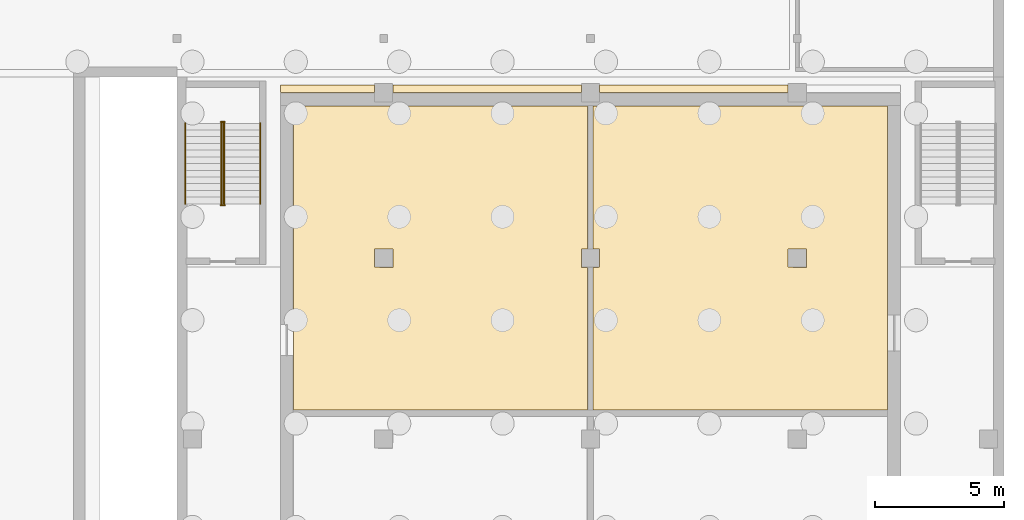
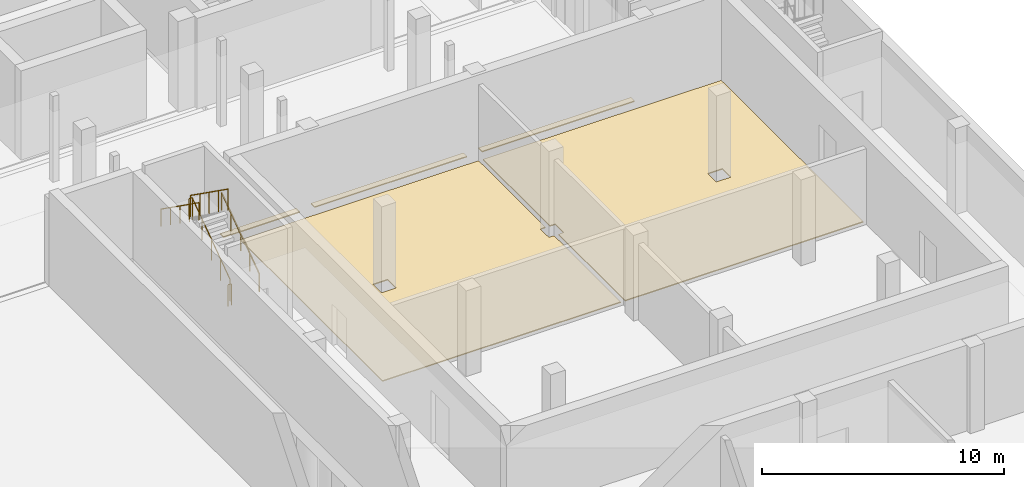
# One storey, part 17 of 21: 6 railings, 5 coverings.
"""IFC4 building model written with IfcOpenShell, lengths in metres."""

from ifc_helpers import new_model, si_unit, direction, frame, origin, origin_2d, place, context, subcontext, project, spatial, polyline, circle, outline, extrude, material, layer, layer_set, type_object, element, save


model = new_model("IFC4")

# Units and contexts
model_context = context("Model", 3, precision=1e-05, world=origin(), true_north=direction((0.0, 1.0)))
body_context = subcontext(model_context, "Body", "Model", "MODEL_VIEW")
ifc_project = project(units=[si_unit("LENGTHUNIT", "METRE"), si_unit("AREAUNIT", "SQUARE_METRE"), si_unit("VOLUMEUNIT", "CUBIC_METRE"), si_unit("PLANEANGLEUNIT", "RADIAN"), si_unit("MASSUNIT", "GRAM", prefix="KILO")], contexts=[model_context])

# Site, building, storey
site_placement = place(None, origin())
site = spatial("IfcSite", under=ifc_project, at=site_placement, CompositionType="ELEMENT")
building_placement = place(site_placement, origin())
building = spatial("IfcBuilding", under=site, at=building_placement, Name="Lantern Court Media Centre", CompositionType="ELEMENT")
storey_placement = place(building_placement, frame((0.0, 0.0, -4.800048828125)))
storey = spatial("IfcBuildingStorey", under=building, at=storey_placement, Name="B1", CompositionType="ELEMENT", Elevation=-4.800048828125)

# Coverings
ifc_material_1 = material(Name="Carpet")
ifc_layer = layer(ifc_material_1, 0.050048828125)
ifc_layer_set = layer_set([ifc_layer], Name="Carpet")
covering_type = type_object("IfcCoveringType", Name="Carpet floor finish", PredefinedType="FLOORING", material=ifc_layer_set)
covering_1_placement = place(storey_placement, origin())
element("IfcCovering", 1, at=covering_1_placement, inside=storey, type_object=covering_type, Name="Studio Equipment Store floor finish", PredefinedType="FLOORING", context=body_context, shape_type="SweptSolid", body=[
    extrude(outline(polyline([(87.89501953125, 27.125), (76.5048828125, 27.125), (76.5048828125, 38.89501953125), (87.89501953125, 38.89501953125), (87.89501953125, 33.35498046875), (87.64501953125, 33.35009765625), (87.645263671875, 32.6484375), (87.89501953125, 32.64501953125), (87.89501953125, 27.125)]), holes=[polyline([(79.64501953125, 32.64990234375), (80.353515625, 32.646484375), (80.353515625, 33.353515625), (79.646484375, 33.353515625), (79.64501953125, 32.64990234375)])]), origin(), (0.0, 0.0, 1.0), 0.050048828125),
])
covering_2_placement = place(storey_placement, origin())
element("IfcCovering", 2, at=covering_2_placement, inside=storey, type_object=covering_type, Name="Studio Equipment Store floor finish", PredefinedType="FLOORING", context=body_context, shape_type="SweptSolid", body=[
    extrude(outline(polyline([(87.64501953125, 39.699951171875), (87.64501953125, 39.405029296875), (80.35498046875, 39.405029296875), (80.35498046875, 39.699951171875), (87.64501953125, 39.699951171875)])), origin(), (0.0, 0.0, 1.0), 0.050048828125),
])
covering_3_placement = place(storey_placement, origin())
element("IfcCovering", 3, at=covering_3_placement, inside=storey, type_object=covering_type, Name="Studio Equipment Store floor finish", PredefinedType="FLOORING", context=body_context, shape_type="SweptSolid", body=[
    extrude(outline(polyline([(76.0, 39.699951171875), (79.64501953125, 39.699951171875), (79.64501953125, 39.405029296875), (76.0, 39.405029296875), (76.0, 39.699951171875)])), origin(), (0.0, 0.0, 1.0), 0.050048828125),
])
covering_4_placement = place(storey_placement, origin())
element("IfcCovering", 4, at=covering_4_placement, inside=storey, type_object=covering_type, Name="Scenery Store floor finish", PredefinedType="FLOORING", context=body_context, shape_type="SweptSolid", body=[
    extrude(outline(polyline([(88.10498046875, 27.125), (88.10498046875, 32.64501953125), (88.35498046875, 32.64990234375), (88.354736328125, 33.3515625), (88.10498046875, 33.35498046875), (88.10498046875, 38.89501953125), (99.4951171875, 38.89501953125), (99.4951171875, 27.125), (88.10498046875, 27.125)]), holes=[polyline([(95.64501953125, 32.64990234375), (96.353515625, 32.646484375), (96.353515625, 33.353515625), (95.646484375, 33.353515625), (95.64501953125, 32.64990234375)])]), origin(), (0.0, 0.0, 1.0), 0.050048828125),
])
covering_5_placement = place(storey_placement, origin())
element("IfcCovering", 5, at=covering_5_placement, inside=storey, type_object=covering_type, Name="Scenery Store floor finish", PredefinedType="FLOORING", context=body_context, shape_type="SweptSolid", body=[
    extrude(outline(polyline([(95.64501953125, 39.699951171875), (95.64501953125, 39.405029296875), (88.35498046875, 39.405029296875), (88.35498046875, 39.699951171875), (95.64501953125, 39.699951171875)])), origin(), (0.0, 0.0, 1.0), 0.050048828125),
])

# Railings
ifc_material_2 = material(Name="Powder-coated steel", Category="steel")
railing_type_1 = type_object("IfcRailingType", Name="Stair guard 1100", PredefinedType="GUARDRAIL", material=ifc_material_2)
railing_1_placement = place(storey_placement, frame((73.825927734375, 35.10009765625, 0.1845703125)))
element("IfcRailing", 6, at=railing_1_placement, inside=storey, type_object=railing_type_1, Name="B1 ST-V2-ST-W stair guard 1", PredefinedType="GUARDRAIL", context=body_context, shape_type="SweptSolid", body=[
    extrude(circle(Radius=0.02392578125, at=origin_2d()), frame((0.0, 0.0, 1.076171875), z_axis=(0.0, 0.815325456587, 0.579002935952), x_axis=(-1.0, 0.0, 0.0)), (0.0, 0.0, 1.0), 3.826416015625),
    extrude(circle(Radius=0.02099609375, at=origin_2d()), origin(), (0.0, 0.0, 1.0), 1.052001953125),
    extrude(circle(Radius=0.02099609375, at=origin_2d()), frame((0.0, 0.780029296875, 0.553955078125)), (0.0, 0.0, 1.0), 1.052001953125),
    extrude(circle(Radius=0.02099609375, at=origin_2d()), frame((0.0, 1.56005859375, 1.10791015625)), (0.0, 0.0, 1.0), 1.052001953125),
    extrude(circle(Radius=0.02099609375, at=origin_2d()), frame((0.0, 2.33984375, 1.66162109375)), (0.0, 0.0, 1.0), 1.052001953125),
    extrude(circle(Radius=0.02099609375, at=origin_2d()), frame((0.0, 3.119873046875, 2.215576171875)), (0.0, 0.0, 1.0), 1.052001953125),
])
railing_2_placement = place(storey_placement, frame((73.85009765625, 38.27001953125, 2.400146484375)))
element("IfcRailing", 7, at=railing_2_placement, inside=storey, type_object=railing_type_1, Name="B1 ST-V2-ST-W stair guard 2", PredefinedType="GUARDRAIL", context=body_context, shape_type="SweptSolid", body=[
    extrude(circle(Radius=0.02392578125, at=origin_2d()), frame((0.0, 0.0, 1.076171875), z_axis=(-1.0, 0.0, 0.0), x_axis=(0.0, -1.0, 0.0)), (0.0, 0.0, 1.0), 0.150146484375),
    extrude(circle(Radius=0.02099609375, at=origin_2d()), origin(), (0.0, 0.0, 1.0), 1.052001953125),
    extrude(circle(Radius=0.02099609375, at=origin_2d()), frame((-0.150146484375, 0.0, 0.0)), (0.0, 0.0, 1.0), 1.052001953125),
])
railing_3_placement = place(storey_placement, frame((73.72412109375, 38.219970703125, 2.584716796875)))
element("IfcRailing", 8, at=railing_3_placement, inside=storey, type_object=railing_type_1, Name="B1 ST-V2-ST-W stair guard 3", PredefinedType="GUARDRAIL", context=body_context, shape_type="SweptSolid", body=[
    extrude(circle(Radius=0.02392578125, at=origin_2d()), frame((0.0, 0.0, 1.076171875), z_axis=(0.0, -0.815355575968, 0.57896052088), x_axis=(1.0, 0.0, 0.0)), (0.0, 0.0, 1.0), 3.826416015625),
    extrude(circle(Radius=0.02099609375, at=origin_2d()), origin(), (0.0, 0.0, 1.0), 1.052001953125),
    extrude(circle(Radius=0.02099609375, at=origin_2d()), frame((0.0, -0.780029296875, 0.5537109375)), (0.0, 0.0, 1.0), 1.052001953125),
    extrude(circle(Radius=0.02099609375, at=origin_2d()), frame((0.0, -1.56005859375, 1.107666015625)), (0.0, 0.0, 1.0), 1.052001953125),
    extrude(circle(Radius=0.02099609375, at=origin_2d()), frame((0.0, -2.33984375, 1.66162109375)), (0.0, 0.0, 1.0), 1.052001953125),
    extrude(circle(Radius=0.02099609375, at=origin_2d()), frame((0.0, -3.119873046875, 2.21533203125)), (0.0, 0.0, 1.0), 1.052001953125),
])
railing_4_placement = place(storey_placement, frame((73.85009765625, 35.050048828125, 0.0)))
element("IfcRailing", 9, at=railing_4_placement, inside=storey, type_object=railing_type_1, Name="B1 ST-V2-ST-W stair guard 4", PredefinedType="GUARDRAIL", context=body_context, shape_type="SweptSolid", body=[
    extrude(circle(Radius=0.02392578125, at=origin_2d()), frame((0.0, 0.0, 1.076171875), z_axis=(-1.0, 0.0, 0.0), x_axis=(0.0, -1.0, 0.0)), (0.0, 0.0, 1.0), 0.150146484375),
    extrude(circle(Radius=0.02099609375, at=origin_2d()), origin(), (0.0, 0.0, 1.0), 1.052001953125),
    extrude(circle(Radius=0.02099609375, at=origin_2d()), frame((-0.150146484375, 0.0, 0.0)), (0.0, 0.0, 1.0), 1.052001953125),
])
railing_type_2 = type_object("IfcRailingType", Name="Stair handrail 900", PredefinedType="HANDRAIL", material=ifc_material_2)
railing_5_placement = place(storey_placement, frame((75.22412109375, 35.10009765625, 0.1845703125)))
element("IfcRailing", 10, at=railing_5_placement, inside=storey, type_object=railing_type_2, Name="B1 ST-V2-ST-W stair handrail 1", PredefinedType="HANDRAIL", context=body_context, shape_type="SweptSolid", body=[
    extrude(circle(Radius=0.02392578125, at=origin_2d()), frame((0.0, 0.0, 0.8759765625), z_axis=(0.0, 0.815325456587, 0.579002935952), x_axis=(-1.0, 0.0, 0.0)), (0.0, 0.0, 1.0), 3.826416015625),
    extrude(circle(Radius=0.02099609375, at=origin_2d()), origin(), (0.0, 0.0, 1.0), 0.851806640625),
    extrude(circle(Radius=0.02099609375, at=origin_2d()), frame((0.0, 0.780029296875, 0.553955078125)), (0.0, 0.0, 1.0), 0.851806640625),
    extrude(circle(Radius=0.02099609375, at=origin_2d()), frame((0.0, 1.56005859375, 1.10791015625)), (0.0, 0.0, 1.0), 0.851806640625),
    extrude(circle(Radius=0.02099609375, at=origin_2d()), frame((0.0, 2.33984375, 1.66162109375)), (0.0, 0.0, 1.0), 0.851806640625),
    extrude(circle(Radius=0.02099609375, at=origin_2d()), frame((0.0, 3.119873046875, 2.215576171875)), (0.0, 0.0, 1.0), 0.851806640625),
])
railing_6_placement = place(storey_placement, frame((72.325927734375, 38.219970703125, 2.584716796875)))
element("IfcRailing", 11, at=railing_6_placement, inside=storey, type_object=railing_type_2, Name="B1 ST-V2-ST-W stair handrail 2", PredefinedType="HANDRAIL", context=body_context, shape_type="SweptSolid", body=[
    extrude(circle(Radius=0.02392578125, at=origin_2d()), frame((0.0, 0.0, 0.8759765625), z_axis=(0.0, -0.815355575968, 0.57896052088), x_axis=(1.0, 0.0, 0.0)), (0.0, 0.0, 1.0), 3.826416015625),
    extrude(circle(Radius=0.02099609375, at=origin_2d()), origin(), (0.0, 0.0, 1.0), 0.851806640625),
    extrude(circle(Radius=0.02099609375, at=origin_2d()), frame((0.0, -0.780029296875, 0.5537109375)), (0.0, 0.0, 1.0), 0.851806640625),
    extrude(circle(Radius=0.02099609375, at=origin_2d()), frame((0.0, -1.56005859375, 1.107666015625)), (0.0, 0.0, 1.0), 0.851806640625),
    extrude(circle(Radius=0.02099609375, at=origin_2d()), frame((0.0, -2.33984375, 1.66162109375)), (0.0, 0.0, 1.0), 0.851806640625),
    extrude(circle(Radius=0.02099609375, at=origin_2d()), frame((0.0, -3.119873046875, 2.21533203125)), (0.0, 0.0, 1.0), 0.851806640625),
])

save(model, "model.ifc")
